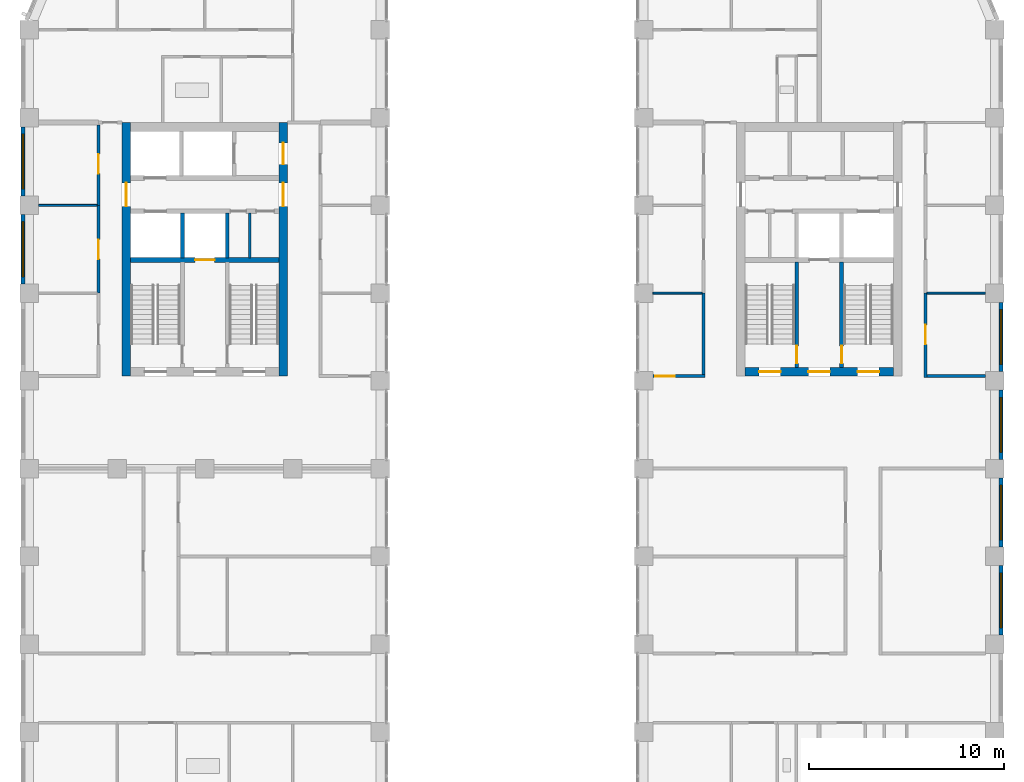
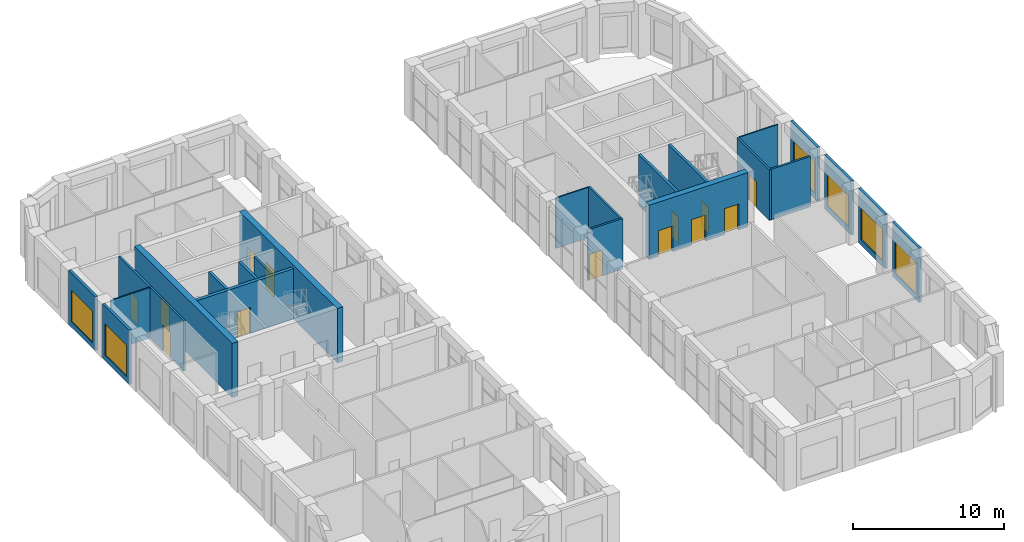
# One storey, part 12 of 19: 24 walls, 13 doors, 6 windows, 19 openings.
"""IFC4 building model written with IfcOpenShell, lengths in metres."""

from ifc_helpers import new_model, si_unit, direction, frame, frame_2d, origin, place, context, subcontext, project, spatial, rectangle, extrude, material, layer, layer_set, type_object, element, fill, save


model = new_model("IFC4")

# Units and contexts
model_context = context("Model", 3, precision=1e-05, world=origin(), true_north=direction((0.0, 1.0)))
body_context = subcontext(model_context, "Body", "Model", "MODEL_VIEW")
ifc_project = project(units=[si_unit("LENGTHUNIT", "METRE"), si_unit("AREAUNIT", "SQUARE_METRE"), si_unit("VOLUMEUNIT", "CUBIC_METRE"), si_unit("PLANEANGLEUNIT", "RADIAN"), si_unit("MASSUNIT", "GRAM", prefix="KILO")], contexts=[model_context])

# Site, building, storey
site_placement = place(None, origin())
site = spatial("IfcSite", under=ifc_project, at=site_placement, CompositionType="ELEMENT")
building_placement = place(site_placement, origin())
building = spatial("IfcBuilding", under=site, at=building_placement, Name="Girih Gate Residences", CompositionType="ELEMENT")
storey_placement = place(building_placement, frame((0.0, 0.0, 163.800048828125)))
storey = spatial("IfcBuildingStorey", under=building, at=storey_placement, Name="L45", CompositionType="ELEMENT", Elevation=163.800048828125)

# Wall, opening, door
ifc_material_1 = material(Name="Gypsum board on steel studs", Category="steel")
ifc_layer_1 = layer(ifc_material_1, 0.14990234375)
ifc_layer_set_1 = layer_set([ifc_layer_1], Name="Compartment wall 150 mm")
wall_type_1 = type_object("IfcWallType", Name="Compartment wall 150 mm", PredefinedType="PARTITIONING", material=ifc_layer_set_1)
wall_1_placement = place(storey_placement, frame((31.97509765625, 27.25, 0.0), z_axis=(0.0, 0.0, 1.0), x_axis=(1.0, 0.0, 0.0)))
wall_1 = element("IfcWall", 1, at=wall_1_placement, inside=storey, type_object=wall_type_1, Name="L45 partition", PredefinedType="PARTITIONING", context=body_context, shape_type="SweptSolid", body=[
    extrude(rectangle(XDim=2.6748046875, YDim=0.14990234375, at=frame_2d((1.33740234375, 0.0))), origin(), (0.0, 0.0, 1.0), 4.099853515625),
])
opening_1_placement = place(wall_1_placement, frame((0.1298828125, 0.0, 0.0)))
opening_1 = element("IfcOpeningElement", 2, at=opening_1_placement, cuts=wall_1, Name="Opening A45-037", PredefinedType="OPENING", context=body_context, shape_type="SweptSolid", body=[
    extrude(rectangle(XDim=1.0, YDim=2.10009765625, at=frame_2d((0.5, 1.050048828125))), frame((0.0, 0.0849609375, 0.0), z_axis=(0.0, -1.0, 0.0), x_axis=(1.0, 0.0, 0.0)), (0.0, 0.0, 1.0), 0.169921875),
])
ifc_material_2 = material(Name="Timber, fire-rated core", Category="wood")
door_type_1 = type_object("IfcDoorType", Name="Amenity room door 1000x2100 FD30S", OperationType="NOTDEFINED", PredefinedType="DOOR", material=ifc_material_2)
door_1_placement = place(opening_1_placement, origin())
door_1 = element("IfcDoor", 3, at=door_1_placement, inside=storey, type_object=door_type_1, Name="Door A45-037", OperationType="SINGLE_SWING_LEFT", OverallHeight=2.10009765625, OverallWidth=1.0, PredefinedType="DOOR", context=body_context, shape_type="SweptSolid", body=[
    extrude(rectangle(XDim=1.0, YDim=2.10009765625, at=frame_2d((0.5, 1.050048828125))), frame((0.0, 0.02490234375, 0.0), z_axis=(0.0, -1.0, 0.0), x_axis=(1.0, 0.0, 0.0)), (0.0, 0.0, 1.0), 0.050048828125),
])
fill(opening_1, door_1)

# Wall
wall_2_placement = place(storey_placement, frame((34.574951171875, 27.324951171875, 0.0), z_axis=(0.0, 0.0, 1.0), x_axis=(0.0, 1.0, 0.0)))
element("IfcWall", 4, at=wall_2_placement, inside=storey, type_object=wall_type_1, Name="L45 partition", PredefinedType="PARTITIONING", context=body_context, shape_type="SweptSolid", body=[
    extrude(rectangle(XDim=4.175048828125, YDim=0.14990234375, at=frame_2d((2.08740234375, 0.0))), origin(), (0.0, 0.0, 1.0), 4.099853515625),
])

# Wall, opening, door
wall_3_placement = place(storey_placement, frame((45.949951171875, 31.5, 0.0), z_axis=(0.0, 0.0, 1.0), x_axis=(0.0, -1.0, 0.0)))
wall_3 = element("IfcWall", 5, at=wall_3_placement, inside=storey, type_object=wall_type_1, Name="L45 partition", PredefinedType="PARTITIONING", context=body_context, shape_type="SweptSolid", body=[
    extrude(rectangle(XDim=4.324951171875, YDim=0.14990234375, at=frame_2d((2.16259765625, 0.0))), origin(), (0.0, 0.0, 1.0), 4.099853515625),
])
opening_2_placement = place(wall_3_placement, frame((1.625, 0.0, 0.0)))
opening_2 = element("IfcOpeningElement", 6, at=opening_2_placement, cuts=wall_3, Name="Opening A45-040", PredefinedType="OPENING", context=body_context, shape_type="SweptSolid", body=[
    extrude(rectangle(XDim=1.0, YDim=2.10009765625, at=frame_2d((0.5, 1.050048828125))), frame((0.0, 0.0849609375, 0.0), z_axis=(0.0, -1.0, 0.0), x_axis=(1.0, 0.0, 0.0)), (0.0, 0.0, 1.0), 0.169921875),
])
door_2_placement = place(opening_2_placement, origin())
door_2 = element("IfcDoor", 7, at=door_2_placement, inside=storey, type_object=door_type_1, Name="Door A45-040", OperationType="SINGLE_SWING_LEFT", OverallHeight=2.10009765625, OverallWidth=1.0, PredefinedType="DOOR", context=body_context, shape_type="SweptSolid", body=[
    extrude(rectangle(XDim=1.0, YDim=2.10009765625, at=frame_2d((0.5, 1.050048828125))), frame((0.0, 0.02490234375, 0.0), z_axis=(0.0, -1.0, 0.0), x_axis=(1.0, 0.0, 0.0)), (0.0, 0.0, 1.0), 0.050048828125),
])
fill(opening_2, door_2)

# Wall
wall_4_placement = place(storey_placement, frame((46.02490234375, 27.25, 0.0), z_axis=(0.0, 0.0, 1.0), x_axis=(1.0, 0.0, 0.0)))
element("IfcWall", 8, at=wall_4_placement, inside=storey, type_object=wall_type_1, Name="L45 partition", PredefinedType="PARTITIONING", context=body_context, shape_type="SweptSolid", body=[
    extrude(rectangle(XDim=3.0, YDim=0.14990234375, at=frame_2d((1.5, 0.0))), origin(), (0.0, 0.0, 1.0), 4.099853515625),
])

# Wall, opening, door
wall_5_placement = place(storey_placement, frame((3.550048828125, 31.5, 0.0), z_axis=(0.0, 0.0, 1.0), x_axis=(0.0, 1.0, 0.0)))
wall_5 = element("IfcWall", 9, at=wall_5_placement, inside=storey, type_object=wall_type_1, Name="L45 partition", PredefinedType="PARTITIONING", context=body_context, shape_type="SweptSolid", body=[
    extrude(rectangle(XDim=4.5, YDim=0.14990234375, at=frame_2d((2.25, 0.0))), origin(), (0.0, 0.0, 1.0), 4.099853515625),
])
opening_3_placement = place(wall_5_placement, frame((1.75, 0.0, 0.0)))
opening_3 = element("IfcOpeningElement", 10, at=opening_3_placement, cuts=wall_5, Name="Opening A45-047", PredefinedType="OPENING", context=body_context, shape_type="SweptSolid", body=[
    extrude(rectangle(XDim=1.0, YDim=2.10009765625, at=frame_2d((0.5, 1.050048828125))), frame((0.0, 0.0849609375, 0.0), z_axis=(0.0, -1.0, 0.0), x_axis=(1.0, 0.0, 0.0)), (0.0, 0.0, 1.0), 0.169921875),
])
door_3_placement = place(opening_3_placement, origin())
door_3 = element("IfcDoor", 11, at=door_3_placement, inside=storey, type_object=door_type_1, Name="Door A45-047", OperationType="SINGLE_SWING_RIGHT", OverallHeight=2.10009765625, OverallWidth=1.0, PredefinedType="DOOR", context=body_context, shape_type="SweptSolid", body=[
    extrude(rectangle(XDim=1.0, YDim=2.10009765625, at=frame_2d((0.5, 1.050048828125))), frame((0.0, 0.02490234375, 0.0), z_axis=(0.0, -1.0, 0.0), x_axis=(1.0, 0.0, 0.0)), (0.0, 0.0, 1.0), 0.050048828125),
])
fill(opening_3, door_3)

wall_6_placement = place(storey_placement, frame((3.550048828125, 36.0, 0.0), z_axis=(0.0, 0.0, 1.0), x_axis=(0.0, 1.0, 0.0)))
wall_6 = element("IfcWall", 12, at=wall_6_placement, inside=storey, type_object=wall_type_1, Name="L45 partition", PredefinedType="PARTITIONING", context=body_context, shape_type="SweptSolid", body=[
    extrude(rectangle(XDim=4.125, YDim=0.14990234375, at=frame_2d((2.0625, 0.0))), origin(), (0.0, 0.0, 1.0), 4.099853515625),
])
opening_4_placement = place(wall_6_placement, frame((1.625, 0.0, 0.0)))
opening_4 = element("IfcOpeningElement", 13, at=opening_4_placement, cuts=wall_6, Name="Opening A45-048", PredefinedType="OPENING", context=body_context, shape_type="SweptSolid", body=[
    extrude(rectangle(XDim=1.0, YDim=2.10009765625, at=frame_2d((0.5, 1.050048828125))), frame((0.0, 0.0849609375, 0.0), z_axis=(0.0, -1.0, 0.0), x_axis=(1.0, 0.0, 0.0)), (0.0, 0.0, 1.0), 0.169921875),
])
door_4_placement = place(opening_4_placement, origin())
door_4 = element("IfcDoor", 14, at=door_4_placement, inside=storey, type_object=door_type_1, Name="Door A45-048", OperationType="SINGLE_SWING_RIGHT", OverallHeight=2.10009765625, OverallWidth=1.0, PredefinedType="DOOR", context=body_context, shape_type="SweptSolid", body=[
    extrude(rectangle(XDim=1.0, YDim=2.10009765625, at=frame_2d((0.5, 1.050048828125))), frame((0.0, 0.02490234375, 0.0), z_axis=(0.0, -1.0, 0.0), x_axis=(1.0, 0.0, 0.0)), (0.0, 0.0, 1.0), 0.050048828125),
])
fill(opening_4, door_4)

ifc_material_3 = material(Name="Concrete C60/75", Category="concrete")
ifc_layer_2 = layer(ifc_material_3, 0.449951171875)
ifc_layer_set_2 = layer_set([ifc_layer_2], Name="Core wall RC 450 Concrete C60/75")
wall_type_2 = type_object("IfcWallType", Name="Core wall RC 450 Concrete C60/75", PredefinedType="SOLIDWALL", material=ifc_layer_set_2)
wall_7_placement = place(storey_placement, frame((4.97509765625, 27.25, 0.0), z_axis=(0.0, 0.0, 1.0), x_axis=(0.0, 1.0, 0.0)))
wall_7 = element("IfcWall", 15, at=wall_7_placement, inside=storey, type_object=wall_type_2, Name="Core wall W-W L45", PredefinedType="SOLIDWALL", context=body_context, shape_type="SweptSolid", body=[
    extrude(rectangle(XDim=13.0, YDim=0.449951171875, at=frame_2d((6.5, 0.0))), origin(), (0.0, 0.0, 1.0), 4.39990234375),
])
opening_5_placement = place(wall_7_placement, frame((8.699951171875, 0.0, 0.0)))
opening_5 = element("IfcOpeningElement", 16, at=opening_5_placement, cuts=wall_7, Name="Opening D-L45-W-013", PredefinedType="OPENING", context=body_context, shape_type="SweptSolid", body=[
    extrude(rectangle(XDim=1.199951171875, YDim=2.10009765625, at=frame_2d((0.60009765625, 1.050048828125))), frame((0.0, 0.23486328125, 0.0), z_axis=(0.0, -1.0, 0.0), x_axis=(1.0, 0.0, 0.0)), (0.0, 0.0, 1.0), 0.469970703125),
])
ifc_material_4 = material(Name="Painted steel, fire-resisting", Category="steel")
door_type_2 = type_object("IfcDoorType", Name="Fire door 1200x2100", OperationType="SINGLE_SWING_LEFT", PredefinedType="DOOR", material=ifc_material_4)
door_5_placement = place(opening_5_placement, origin())
door_5 = element("IfcDoor", 17, at=door_5_placement, inside=storey, type_object=door_type_2, Name="L45 W core door ll-w", OperationType="SINGLE_SWING_LEFT", OverallHeight=2.10009765625, OverallWidth=1.199951171875, PredefinedType="DOOR", context=body_context, shape_type="SweptSolid", body=[
    extrude(rectangle(XDim=1.199951171875, YDim=2.10009765625, at=frame_2d((0.60009765625, 1.050048828125))), frame((0.0, 0.02490234375, 0.0), z_axis=(0.0, -1.0, 0.0), x_axis=(1.0, 0.0, 0.0)), (0.0, 0.0, 1.0), 0.050048828125),
])
fill(opening_5, door_5)

# Wall, openings, doors
wall_8_placement = place(storey_placement, frame((13.02490234375, 27.25, 0.0), z_axis=(0.0, 0.0, 1.0), x_axis=(0.0, 1.0, 0.0)))
wall_8 = element("IfcWall", 18, at=wall_8_placement, inside=storey, type_object=wall_type_2, Name="Core wall W-E L45", PredefinedType="SOLIDWALL", context=body_context, shape_type="SweptSolid", body=[
    extrude(rectangle(XDim=13.0, YDim=0.449951171875, at=frame_2d((6.5, 0.0))), origin(), (0.0, 0.0, 1.0), 4.39990234375),
])
opening_6_placement = place(wall_8_placement, frame((10.85009765625, 0.0, 0.0)))
opening_6 = element("IfcOpeningElement", 19, at=opening_6_placement, cuts=wall_8, Name="Opening D-L45-W-012", PredefinedType="OPENING", context=body_context, shape_type="SweptSolid", body=[
    extrude(rectangle(XDim=1.10009765625, YDim=2.10009765625, at=frame_2d((0.550048828125, 1.050048828125))), frame((0.0, 0.23486328125, 0.0), z_axis=(0.0, -1.0, 0.0), x_axis=(1.0, 0.0, 0.0)), (0.0, 0.0, 1.0), 0.469970703125),
])
opening_7_placement = place(wall_8_placement, frame((8.699951171875, 0.0, 0.0)))
opening_7 = element("IfcOpeningElement", 20, at=opening_7_placement, cuts=wall_8, Name="Opening D-L45-W-014", PredefinedType="OPENING", context=body_context, shape_type="SweptSolid", body=[
    extrude(rectangle(XDim=1.199951171875, YDim=2.10009765625, at=frame_2d((0.60009765625, 1.050048828125))), frame((0.0, 0.23486328125, 0.0), z_axis=(0.0, -1.0, 0.0), x_axis=(1.0, 0.0, 0.0)), (0.0, 0.0, 1.0), 0.469970703125),
])
door_type_3 = type_object("IfcDoorType", Name="Fire door 1100x2100", OperationType="SINGLE_SWING_LEFT", PredefinedType="DOOR", material=ifc_material_4)
door_6_placement = place(opening_6_placement, origin())
door_6 = element("IfcDoor", 21, at=door_6_placement, inside=storey, type_object=door_type_3, Name="L45 W core door ffl2-e", OperationType="SINGLE_SWING_LEFT", OverallHeight=2.10009765625, OverallWidth=1.10009765625, PredefinedType="DOOR", context=body_context, shape_type="SweptSolid", body=[
    extrude(rectangle(XDim=1.10009765625, YDim=2.10009765625, at=frame_2d((0.550048828125, 1.050048828125))), frame((0.0, 0.02490234375, 0.0), z_axis=(0.0, -1.0, 0.0), x_axis=(1.0, 0.0, 0.0)), (0.0, 0.0, 1.0), 0.050048828125),
])
fill(opening_6, door_6)
door_7_placement = place(opening_7_placement, origin())
door_7 = element("IfcDoor", 22, at=door_7_placement, inside=storey, type_object=door_type_2, Name="L45 W core door ll-e", OperationType="SINGLE_SWING_LEFT", OverallHeight=2.10009765625, OverallWidth=1.199951171875, PredefinedType="DOOR", context=body_context, shape_type="SweptSolid", body=[
    extrude(rectangle(XDim=1.199951171875, YDim=2.10009765625, at=frame_2d((0.60009765625, 1.050048828125))), frame((0.0, 0.02490234375, 0.0), z_axis=(0.0, -1.0, 0.0), x_axis=(1.0, 0.0, 0.0)), (0.0, 0.0, 1.0), 0.050048828125),
])
fill(opening_7, door_7)

wall_9_placement = place(storey_placement, frame((36.699951171875, 27.47509765625, 0.0), z_axis=(0.0, 0.0, 1.0), x_axis=(1.0, 0.0, 0.0)))
wall_9 = element("IfcWall", 23, at=wall_9_placement, inside=storey, type_object=wall_type_2, Name="Core wall E-S L45", PredefinedType="SOLIDWALL", context=body_context, shape_type="SweptSolid", body=[
    extrude(rectangle(XDim=7.60009765625, YDim=0.449951171875, at=frame_2d((3.800048828125, 0.0))), origin(), (0.0, 0.0, 1.0), 4.39990234375),
])
opening_8_placement = place(wall_9_placement, frame((5.77490234375, 0.0, 0.0)))
opening_8 = element("IfcOpeningElement", 24, at=opening_8_placement, cuts=wall_9, Name="Opening D-L45-E-010", PredefinedType="OPENING", context=body_context, shape_type="SweptSolid", body=[
    extrude(rectangle(XDim=1.10009765625, YDim=2.10009765625, at=frame_2d((0.550048828125, 1.050048828125))), frame((0.0, 0.23486328125, 0.0), z_axis=(0.0, -1.0, 0.0), x_axis=(1.0, 0.0, 0.0)), (0.0, 0.0, 1.0), 0.469970703125),
])
opening_9_placement = place(wall_9_placement, frame((3.25, 0.0, 0.0)))
opening_9 = element("IfcOpeningElement", 25, at=opening_9_placement, cuts=wall_9, Name="Opening D-L45-E-011", PredefinedType="OPENING", context=body_context, shape_type="SweptSolid", body=[
    extrude(rectangle(XDim=1.10009765625, YDim=2.10009765625, at=frame_2d((0.550048828125, 1.050048828125))), frame((0.0, 0.23486328125, 0.0), z_axis=(0.0, -1.0, 0.0), x_axis=(1.0, 0.0, 0.0)), (0.0, 0.0, 1.0), 0.469970703125),
])
opening_10_placement = place(wall_9_placement, frame((0.72509765625, 0.0, 0.0)))
opening_10 = element("IfcOpeningElement", 26, at=opening_10_placement, cuts=wall_9, Name="Opening D-L45-E-012", PredefinedType="OPENING", context=body_context, shape_type="SweptSolid", body=[
    extrude(rectangle(XDim=1.10009765625, YDim=2.10009765625, at=frame_2d((0.550048828125, 1.050048828125))), frame((0.0, 0.23486328125, 0.0), z_axis=(0.0, -1.0, 0.0), x_axis=(1.0, 0.0, 0.0)), (0.0, 0.0, 1.0), 0.469970703125),
])
door_8_placement = place(opening_8_placement, origin())
door_8 = element("IfcDoor", 27, at=door_8_placement, inside=storey, type_object=door_type_3, Name="L45 E core door sta-out", OperationType="SINGLE_SWING_LEFT", OverallHeight=2.10009765625, OverallWidth=1.10009765625, PredefinedType="DOOR", context=body_context, shape_type="SweptSolid", body=[
    extrude(rectangle(XDim=1.10009765625, YDim=2.10009765625, at=frame_2d((0.550048828125, 1.050048828125))), frame((0.0, 0.02490234375, 0.0), z_axis=(0.0, -1.0, 0.0), x_axis=(1.0, 0.0, 0.0)), (0.0, 0.0, 1.0), 0.050048828125),
])
fill(opening_8, door_8)
door_9_placement = place(opening_9_placement, origin())
door_9 = element("IfcDoor", 28, at=door_9_placement, inside=storey, type_object=door_type_3, Name="L45 E core door ffl-out", OperationType="SINGLE_SWING_LEFT", OverallHeight=2.10009765625, OverallWidth=1.10009765625, PredefinedType="DOOR", context=body_context, shape_type="SweptSolid", body=[
    extrude(rectangle(XDim=1.10009765625, YDim=2.10009765625, at=frame_2d((0.550048828125, 1.050048828125))), frame((0.0, 0.02490234375, 0.0), z_axis=(0.0, -1.0, 0.0), x_axis=(1.0, 0.0, 0.0)), (0.0, 0.0, 1.0), 0.050048828125),
])
fill(opening_9, door_9)
door_10_placement = place(opening_10_placement, origin())
door_10 = element("IfcDoor", 29, at=door_10_placement, inside=storey, type_object=door_type_3, Name="L45 E core door stb-out", OperationType="SINGLE_SWING_LEFT", OverallHeight=2.10009765625, OverallWidth=1.10009765625, PredefinedType="DOOR", context=body_context, shape_type="SweptSolid", body=[
    extrude(rectangle(XDim=1.10009765625, YDim=2.10009765625, at=frame_2d((0.550048828125, 1.050048828125))), frame((0.0, 0.02490234375, 0.0), z_axis=(0.0, -1.0, 0.0), x_axis=(1.0, 0.0, 0.0)), (0.0, 0.0, 1.0), 0.050048828125),
])
fill(opening_10, door_10)

# Wall, opening, door
ifc_material_5 = material(Name="Concrete C40/50", Category="concrete")
ifc_layer_3 = layer(ifc_material_5, 0.25)
ifc_layer_set_3 = layer_set([ifc_layer_3], Name="Lift shaft wall 250")
wall_type_3 = type_object("IfcWallType", Name="Lift shaft wall 250", PredefinedType="SOLIDWALL", material=ifc_layer_set_3)
wall_10_placement = place(storey_placement, frame((5.199951171875, 33.199951171875, 0.0), z_axis=(0.0, 0.0, 1.0), x_axis=(1.0, 0.0, 0.0)))
wall_10 = element("IfcWall", 30, at=wall_10_placement, inside=storey, type_object=wall_type_3, Name="L45 W core wall H1", PredefinedType="SOLIDWALL", context=body_context, shape_type="SweptSolid", body=[
    extrude(rectangle(XDim=7.60009765625, YDim=0.25, at=frame_2d((3.800048828125, 0.0))), origin(), (0.0, 0.0, 1.0), 4.099853515625),
])
opening_11_placement = place(wall_10_placement, frame((3.300048828125, 0.0, 0.0)))
opening_11 = element("IfcOpeningElement", 31, at=opening_11_placement, cuts=wall_10, Name="Opening D-L45-W-006", PredefinedType="OPENING", context=body_context, shape_type="SweptSolid", body=[
    extrude(rectangle(XDim=1.0, YDim=2.10009765625, at=frame_2d((0.5, 1.050048828125))), frame((0.0, 0.135009765625, 0.0), z_axis=(0.0, -1.0, 0.0), x_axis=(1.0, 0.0, 0.0)), (0.0, 0.0, 1.0), 0.27001953125),
])
ifc_material_6 = material(Name="Stainless steel, fire-resisting", Category="steel")
door_type_4 = type_object("IfcDoorType", Name="Firefighting lift landing door 1000x2100", OperationType="SLIDING_TO_LEFT", PredefinedType="DOOR", material=ifc_material_6)
door_11_placement = place(opening_11_placement, origin())
door_11 = element("IfcDoor", 32, at=door_11_placement, inside=storey, type_object=door_type_4, Name="L45 lift FF-W landing door", OperationType="SLIDING_TO_LEFT", OverallHeight=2.10009765625, OverallWidth=1.0, PredefinedType="DOOR", context=body_context, shape_type="SweptSolid", body=[
    extrude(rectangle(XDim=1.0, YDim=2.10009765625, at=frame_2d((0.5, 1.050048828125))), frame((0.0, 0.02490234375, 0.0), z_axis=(0.0, -1.0, 0.0), x_axis=(1.0, 0.0, 0.0)), (0.0, 0.0, 1.0), 0.050048828125),
])
fill(opening_11, door_11)

# Walls
ifc_layer_4 = layer(ifc_material_1, 0.10009765625)
ifc_layer_set_4 = layer_set([ifc_layer_4], Name="Partition 100 mm")
wall_type_4 = type_object("IfcWallType", Name="Partition 100 mm", PredefinedType="PARTITIONING", material=ifc_layer_set_4)
wall_11_placement = place(storey_placement, frame((31.97509765625, 31.5, 0.0), z_axis=(0.0, 0.0, 1.0), x_axis=(1.0, 0.0, 0.0)))
element("IfcWall", 33, at=wall_11_placement, inside=storey, type_object=wall_type_4, Name="L45 partition", PredefinedType="PARTITIONING", context=body_context, shape_type="SweptSolid", body=[
    extrude(rectangle(XDim=2.52490234375, YDim=0.10009765625, at=frame_2d((1.262451171875, 0.0))), origin(), (0.0, 0.0, 1.0), 4.099853515625),
])
for number, where, z_axis, x_axis, name in (
    (34, (46.02490234375, 31.5, 0.0), (0.0, 0.0, 1.0), (1.0, 0.0, 0.0), "L45 partition"),
    (35, (0.47509765625, 36.0, 0.0), (0.0, 0.0, 1.0), (1.0, 0.0, 0.0), "L45 partition"),
):
    element("IfcWall", number, at=place(storey_placement, frame(where, z_axis=z_axis, x_axis=x_axis)), inside=storey, type_object=wall_type_4, Name=name, PredefinedType="PARTITIONING", context=body_context, shape_type="SweptSolid", body=[
        extrude(rectangle(XDim=3.0, YDim=0.10009765625, at=frame_2d((1.5, 0.0))), origin(), (0.0, 0.0, 1.0), 4.099853515625),
    ])

# Wall, opening, window
ifc_material_7 = material(Name="Precast concrete C50/60", Category="concrete")
ifc_layer_5 = layer(ifc_material_7, 0.06005859375, Name="Outer leaf")
ifc_material_8 = material(Name="Rigid PIR insulation")
ifc_layer_6 = layer(ifc_material_8, 0.090087890625, Name="Insulation")
ifc_material_9 = material(Name="Precast concrete C40/50", Category="concrete")
ifc_layer_7 = layer(ifc_material_9, 0.050048828125, Name="Inner leaf")
ifc_layer_set_5 = layer_set([ifc_layer_5, ifc_layer_6, ifc_layer_7], Name="Precast concrete C50/60 external wall 200")
wall_type_5 = type_object("IfcWallType", Name="Precast concrete C50/60 external wall 200", PredefinedType="SOLIDWALL", material=ifc_layer_set_5)
wall_12_placement = place(storey_placement, frame((-0.324951171875, 36.47509765625, 0.0), z_axis=(0.0, 0.0, 1.0), x_axis=(0.0, 1.0, 0.0)))
wall_12 = element("IfcWall", 36, at=wall_12_placement, inside=storey, type_object=wall_type_5, Name="External wall W0000_0450.1", PredefinedType="SOLIDWALL", context=body_context, shape_type="SweptSolid", body=[
    extrude(rectangle(XDim=3.5498046875, YDim=0.199951171875, at=frame_2d((1.77490234375, 0.0))), origin(), (0.0, 0.0, 1.0), 4.39990234375),
])
opening_12_placement = place(wall_12_placement, frame((0.375, 0.0, 0.449951171875)))
opening_12 = element("IfcOpeningElement", 37, at=opening_12_placement, cuts=wall_12, Name="Opening W-6A", PredefinedType="OPENING", context=body_context, shape_type="SweptSolid", body=[
    extrude(rectangle(XDim=2.800048828125, YDim=2.550048828125, at=frame_2d((1.39990234375, 1.27490234375))), frame((0.0, 0.10986328125, 0.0), z_axis=(0.0, -1.0, 0.0), x_axis=(1.0, 0.0, 0.0)), (0.0, 0.0, 1.0), 0.219970703125),
])
ifc_material_10 = material(Name="Double glazing in aluminium frame", Category="aluminium")
window_type = type_object("IfcWindowType", Name="Window W-6A 2800x2550", PartitioningType="SINGLE_PANEL", PredefinedType="WINDOW", material=ifc_material_10)
window_1_placement = place(opening_12_placement, origin())
window_1 = element("IfcWindow", 38, at=window_1_placement, inside=storey, type_object=window_type, Name="Window W-6A W0000_0450.1", OverallHeight=2.550048828125, OverallWidth=2.800048828125, PartitioningType="SINGLE_PANEL", PredefinedType="WINDOW", context=body_context, shape_type="SweptSolid", body=[
    extrude(rectangle(XDim=2.800048828125, YDim=2.550048828125, at=frame_2d((1.39990234375, 1.27490234375))), frame((0.0, 0.030029296875, 0.0), z_axis=(0.0, -1.0, 0.0), x_axis=(1.0, 0.0, 0.0)), (0.0, 0.0, 1.0), 0.06005859375),
])
fill(opening_12, window_1)

wall_13_placement = place(storey_placement, frame((-0.324951171875, 31.97509765625, 0.0), z_axis=(0.0, 0.0, 1.0), x_axis=(0.0, 1.0, 0.0)))
wall_13 = element("IfcWall", 39, at=wall_13_placement, inside=storey, type_object=wall_type_5, Name="External wall W0000_0450.2", PredefinedType="SOLIDWALL", context=body_context, shape_type="SweptSolid", body=[
    extrude(rectangle(XDim=3.5498046875, YDim=0.199951171875, at=frame_2d((1.77490234375, 0.0))), origin(), (0.0, 0.0, 1.0), 4.39990234375),
])
opening_13_placement = place(wall_13_placement, frame((0.375, 0.0, 0.449951171875)))
opening_13 = element("IfcOpeningElement", 40, at=opening_13_placement, cuts=wall_13, Name="Opening W-6A", PredefinedType="OPENING", context=body_context, shape_type="SweptSolid", body=[
    extrude(rectangle(XDim=2.800048828125, YDim=2.550048828125, at=frame_2d((1.39990234375, 1.27490234375))), frame((0.0, 0.10986328125, 0.0), z_axis=(0.0, -1.0, 0.0), x_axis=(1.0, 0.0, 0.0)), (0.0, 0.0, 1.0), 0.219970703125),
])
window_2_placement = place(opening_13_placement, origin())
window_2 = element("IfcWindow", 41, at=window_2_placement, inside=storey, type_object=window_type, Name="Window W-6A W0000_0450.2", OverallHeight=2.550048828125, OverallWidth=2.800048828125, PartitioningType="SINGLE_PANEL", PredefinedType="WINDOW", context=body_context, shape_type="SweptSolid", body=[
    extrude(rectangle(XDim=2.800048828125, YDim=2.550048828125, at=frame_2d((1.39990234375, 1.27490234375))), frame((0.0, 0.030029296875, 0.0), z_axis=(0.0, -1.0, 0.0), x_axis=(1.0, 0.0, 0.0)), (0.0, 0.0, 1.0), 0.06005859375),
])
fill(opening_13, window_2)

wall_14_placement = place(storey_placement, frame((49.824951171875, 17.52490234375, 0.0), z_axis=(0.0, 0.0, 1.0), x_axis=(0.0, -1.0, 0.0)))
wall_14 = element("IfcWall", 42, at=wall_14_placement, inside=storey, type_object=wall_type_5, Name="External wall E0495_0045.2", PredefinedType="SOLIDWALL", context=body_context, shape_type="SweptSolid", body=[
    extrude(rectangle(XDim=3.5498046875, YDim=0.199951171875, at=frame_2d((1.77490234375, 0.0))), origin(), (0.0, 0.0, 1.0), 4.39990234375),
])
opening_14_placement = place(wall_14_placement, frame((0.375, 0.0, 0.449951171875)))
opening_14 = element("IfcOpeningElement", 43, at=opening_14_placement, cuts=wall_14, Name="Opening W-6A", PredefinedType="OPENING", context=body_context, shape_type="SweptSolid", body=[
    extrude(rectangle(XDim=2.800048828125, YDim=2.550048828125, at=frame_2d((1.39990234375, 1.27490234375))), frame((0.0, 0.10986328125, 0.0), z_axis=(0.0, -1.0, 0.0), x_axis=(1.0, 0.0, 0.0)), (0.0, 0.0, 1.0), 0.219970703125),
])
window_3_placement = place(opening_14_placement, origin())
window_3 = element("IfcWindow", 44, at=window_3_placement, inside=storey, type_object=window_type, Name="Window W-6A E0495_0045.2", OverallHeight=2.550048828125, OverallWidth=2.800048828125, PartitioningType="SINGLE_PANEL", PredefinedType="WINDOW", context=body_context, shape_type="SweptSolid", body=[
    extrude(rectangle(XDim=2.800048828125, YDim=2.550048828125, at=frame_2d((1.39990234375, 1.27490234375))), frame((0.0, 0.030029296875, 0.0), z_axis=(0.0, -1.0, 0.0), x_axis=(1.0, 0.0, 0.0)), (0.0, 0.0, 1.0), 0.06005859375),
])
fill(opening_14, window_3)

wall_15_placement = place(storey_placement, frame((49.824951171875, 22.02490234375, 0.0), z_axis=(0.0, 0.0, 1.0), x_axis=(0.0, -1.0, 0.0)))
wall_15 = element("IfcWall", 45, at=wall_15_placement, inside=storey, type_object=wall_type_5, Name="External wall E0495_0045.3", PredefinedType="SOLIDWALL", context=body_context, shape_type="SweptSolid", body=[
    extrude(rectangle(XDim=3.5498046875, YDim=0.199951171875, at=frame_2d((1.77490234375, 0.0))), origin(), (0.0, 0.0, 1.0), 4.39990234375),
])
opening_15_placement = place(wall_15_placement, frame((0.375, 0.0, 0.449951171875)))
opening_15 = element("IfcOpeningElement", 46, at=opening_15_placement, cuts=wall_15, Name="Opening W-6A", PredefinedType="OPENING", context=body_context, shape_type="SweptSolid", body=[
    extrude(rectangle(XDim=2.800048828125, YDim=2.550048828125, at=frame_2d((1.39990234375, 1.27490234375))), frame((0.0, 0.10986328125, 0.0), z_axis=(0.0, -1.0, 0.0), x_axis=(1.0, 0.0, 0.0)), (0.0, 0.0, 1.0), 0.219970703125),
])
window_4_placement = place(opening_15_placement, origin())
window_4 = element("IfcWindow", 47, at=window_4_placement, inside=storey, type_object=window_type, Name="Window W-6A E0495_0045.3", OverallHeight=2.550048828125, OverallWidth=2.800048828125, PartitioningType="SINGLE_PANEL", PredefinedType="WINDOW", context=body_context, shape_type="SweptSolid", body=[
    extrude(rectangle(XDim=2.800048828125, YDim=2.550048828125, at=frame_2d((1.39990234375, 1.27490234375))), frame((0.0, 0.030029296875, 0.0), z_axis=(0.0, -1.0, 0.0), x_axis=(1.0, 0.0, 0.0)), (0.0, 0.0, 1.0), 0.06005859375),
])
fill(opening_15, window_4)

wall_16_placement = place(storey_placement, frame((49.824951171875, 26.52490234375, 0.0), z_axis=(0.0, 0.0, 1.0), x_axis=(0.0, -1.0, 0.0)))
wall_16 = element("IfcWall", 48, at=wall_16_placement, inside=storey, type_object=wall_type_5, Name="External wall E0495_0045.4", PredefinedType="SOLIDWALL", context=body_context, shape_type="SweptSolid", body=[
    extrude(rectangle(XDim=3.5498046875, YDim=0.199951171875, at=frame_2d((1.77490234375, 0.0))), origin(), (0.0, 0.0, 1.0), 4.39990234375),
])
opening_16_placement = place(wall_16_placement, frame((0.375, 0.0, 0.449951171875)))
opening_16 = element("IfcOpeningElement", 49, at=opening_16_placement, cuts=wall_16, Name="Opening W-6A", PredefinedType="OPENING", context=body_context, shape_type="SweptSolid", body=[
    extrude(rectangle(XDim=2.800048828125, YDim=2.550048828125, at=frame_2d((1.39990234375, 1.27490234375))), frame((0.0, 0.10986328125, 0.0), z_axis=(0.0, -1.0, 0.0), x_axis=(1.0, 0.0, 0.0)), (0.0, 0.0, 1.0), 0.219970703125),
])
window_5_placement = place(opening_16_placement, origin())
window_5 = element("IfcWindow", 50, at=window_5_placement, inside=storey, type_object=window_type, Name="Window W-6A E0495_0045.4", OverallHeight=2.550048828125, OverallWidth=2.800048828125, PartitioningType="SINGLE_PANEL", PredefinedType="WINDOW", context=body_context, shape_type="SweptSolid", body=[
    extrude(rectangle(XDim=2.800048828125, YDim=2.550048828125, at=frame_2d((1.39990234375, 1.27490234375))), frame((0.0, 0.030029296875, 0.0), z_axis=(0.0, -1.0, 0.0), x_axis=(1.0, 0.0, 0.0)), (0.0, 0.0, 1.0), 0.06005859375),
])
fill(opening_16, window_5)

wall_17_placement = place(storey_placement, frame((49.824951171875, 31.02490234375, 0.0), z_axis=(0.0, 0.0, 1.0), x_axis=(0.0, -1.0, 0.0)))
wall_17 = element("IfcWall", 51, at=wall_17_placement, inside=storey, type_object=wall_type_5, Name="External wall E0495_0045.5", PredefinedType="SOLIDWALL", context=body_context, shape_type="SweptSolid", body=[
    extrude(rectangle(XDim=3.5498046875, YDim=0.199951171875, at=frame_2d((1.77490234375, 0.0))), origin(), (0.0, 0.0, 1.0), 4.39990234375),
])
opening_17_placement = place(wall_17_placement, frame((0.375, 0.0, 0.449951171875)))
opening_17 = element("IfcOpeningElement", 52, at=opening_17_placement, cuts=wall_17, Name="Opening W-6A", PredefinedType="OPENING", context=body_context, shape_type="SweptSolid", body=[
    extrude(rectangle(XDim=2.800048828125, YDim=2.550048828125, at=frame_2d((1.39990234375, 1.27490234375))), frame((0.0, 0.10986328125, 0.0), z_axis=(0.0, -1.0, 0.0), x_axis=(1.0, 0.0, 0.0)), (0.0, 0.0, 1.0), 0.219970703125),
])
window_6_placement = place(opening_17_placement, origin())
window_6 = element("IfcWindow", 53, at=window_6_placement, inside=storey, type_object=window_type, Name="Window W-6A E0495_0045.5", OverallHeight=2.550048828125, OverallWidth=2.800048828125, PartitioningType="SINGLE_PANEL", PredefinedType="WINDOW", context=body_context, shape_type="SweptSolid", body=[
    extrude(rectangle(XDim=2.800048828125, YDim=2.550048828125, at=frame_2d((1.39990234375, 1.27490234375))), frame((0.0, 0.030029296875, 0.0), z_axis=(0.0, -1.0, 0.0), x_axis=(1.0, 0.0, 0.0)), (0.0, 0.0, 1.0), 0.06005859375),
])
fill(opening_17, window_6)

# Walls
ifc_layer_8 = layer(ifc_material_5, 0.199951171875)
ifc_layer_set_6 = layer_set([ifc_layer_8], Name="Shaft wall 200")
wall_type_6 = type_object("IfcWallType", Name="Shaft wall 200", PredefinedType="SOLIDWALL", material=ifc_layer_set_6)
for number, where, z_axis, x_axis, name in (
    (54, (7.85009765625, 33.300048828125, 0.0), (0.0, 0.0, 1.0), (0.0, 1.0, 0.0), "L45 W core wall V1b"),
    (55, (10.14990234375, 33.300048828125, 0.0), (0.0, 0.0, 1.0), (0.0, 1.0, 0.0), "L45 W core wall V2b"),
):
    element("IfcWall", number, at=place(storey_placement, frame(where, z_axis=z_axis, x_axis=x_axis)), inside=storey, type_object=wall_type_6, Name=name, PredefinedType="SOLIDWALL", context=body_context, shape_type="SweptSolid", body=[
        extrude(rectangle(XDim=2.300048828125, YDim=0.199951171875, at=frame_2d((1.14990234375, 0.0))), origin(), (0.0, 0.0, 1.0), 4.099853515625),
    ])

# Wall, opening, door
wall_18_placement = place(storey_placement, frame((41.64990234375, 27.699951171875, 0.0), z_axis=(0.0, 0.0, 1.0), x_axis=(0.0, 1.0, 0.0)))
wall_18 = element("IfcWall", 56, at=wall_18_placement, inside=storey, type_object=wall_type_6, Name="L45 E core wall V1a", PredefinedType="SOLIDWALL", context=body_context, shape_type="SweptSolid", body=[
    extrude(rectangle(XDim=5.400146484375, YDim=0.199951171875, at=frame_2d((2.7001953125, 0.0))), origin(), (0.0, 0.0, 1.0), 4.099853515625),
])
opening_18_placement = place(wall_18_placement, frame((0.199951171875, 0.0, 0.0)))
opening_18 = element("IfcOpeningElement", 57, at=opening_18_placement, cuts=wall_18, Name="Opening D-L45-E-001", PredefinedType="OPENING", context=body_context, shape_type="SweptSolid", body=[
    extrude(rectangle(XDim=0.89990234375, YDim=2.10009765625, at=frame_2d((0.449951171875, 1.050048828125))), frame((0.0, 0.10986328125, 0.0), z_axis=(0.0, -1.0, 0.0), x_axis=(1.0, 0.0, 0.0)), (0.0, 0.0, 1.0), 0.219970703125),
])
door_type_5 = type_object("IfcDoorType", Name="Fire door 900x2100", OperationType="SINGLE_SWING_LEFT", PredefinedType="DOOR", material=ifc_material_4)
door_12_placement = place(opening_18_placement, origin())
door_12 = element("IfcDoor", 58, at=door_12_placement, inside=storey, type_object=door_type_5, Name="L45 E door stair 1 to firefighting lobby", OperationType="SINGLE_SWING_LEFT", OverallHeight=2.10009765625, OverallWidth=0.89990234375, PredefinedType="DOOR", context=body_context, shape_type="SweptSolid", body=[
    extrude(rectangle(XDim=0.89990234375, YDim=2.10009765625, at=frame_2d((0.449951171875, 1.050048828125))), frame((0.0, 0.02490234375, 0.0), z_axis=(0.0, -1.0, 0.0), x_axis=(1.0, 0.0, 0.0)), (0.0, 0.0, 1.0), 0.050048828125),
])
fill(opening_18, door_12)

wall_19_placement = place(storey_placement, frame((39.35009765625, 27.699951171875, 0.0), z_axis=(0.0, 0.0, 1.0), x_axis=(0.0, 1.0, 0.0)))
wall_19 = element("IfcWall", 59, at=wall_19_placement, inside=storey, type_object=wall_type_6, Name="L45 E core wall V2a", PredefinedType="SOLIDWALL", context=body_context, shape_type="SweptSolid", body=[
    extrude(rectangle(XDim=5.400146484375, YDim=0.199951171875, at=frame_2d((2.7001953125, 0.0))), origin(), (0.0, 0.0, 1.0), 4.099853515625),
])
opening_19_placement = place(wall_19_placement, frame((0.199951171875, 0.0, 0.0)))
opening_19 = element("IfcOpeningElement", 60, at=opening_19_placement, cuts=wall_19, Name="Opening D-L45-E-002", PredefinedType="OPENING", context=body_context, shape_type="SweptSolid", body=[
    extrude(rectangle(XDim=0.89990234375, YDim=2.10009765625, at=frame_2d((0.449951171875, 1.050048828125))), frame((0.0, 0.10986328125, 0.0), z_axis=(0.0, -1.0, 0.0), x_axis=(1.0, 0.0, 0.0)), (0.0, 0.0, 1.0), 0.219970703125),
])
door_13_placement = place(opening_19_placement, origin())
door_13 = element("IfcDoor", 61, at=door_13_placement, inside=storey, type_object=door_type_5, Name="L45 E door stair 2 to firefighting lobby", OperationType="SINGLE_SWING_LEFT", OverallHeight=2.10009765625, OverallWidth=0.89990234375, PredefinedType="DOOR", context=body_context, shape_type="SweptSolid", body=[
    extrude(rectangle(XDim=0.89990234375, YDim=2.10009765625, at=frame_2d((0.449951171875, 1.050048828125))), frame((0.0, 0.02490234375, 0.0), z_axis=(0.0, -1.0, 0.0), x_axis=(1.0, 0.0, 0.0)), (0.0, 0.0, 1.0), 0.050048828125),
])
fill(opening_19, door_13)

# Wall
ifc_material_11 = material(Name="Calcium silicate blockwork", Category="masonry")
ifc_layer_9 = layer(ifc_material_11, 0.125)
ifc_layer_set_7 = layer_set([ifc_layer_9], Name="Store partition 125")
wall_type_7 = type_object("IfcWallType", Name="Store partition 125", PredefinedType="PARTITIONING", material=ifc_layer_set_7)
wall_20_placement = place(storey_placement, frame((11.300048828125, 33.300048828125, 0.0), z_axis=(0.0, 0.0, 1.0), x_axis=(0.0, 1.0, 0.0)))
element("IfcWall", 62, at=wall_20_placement, inside=storey, type_object=wall_type_7, Name="L45 W core wall SHR2", PredefinedType="PARTITIONING", context=body_context, shape_type="SweptSolid", body=[
    extrude(rectangle(XDim=2.300048828125, YDim=0.125, at=frame_2d((1.14990234375, 0.0))), origin(), (0.0, 0.0, 1.0), 4.099853515625),
])

save(model, "model.ifc")
